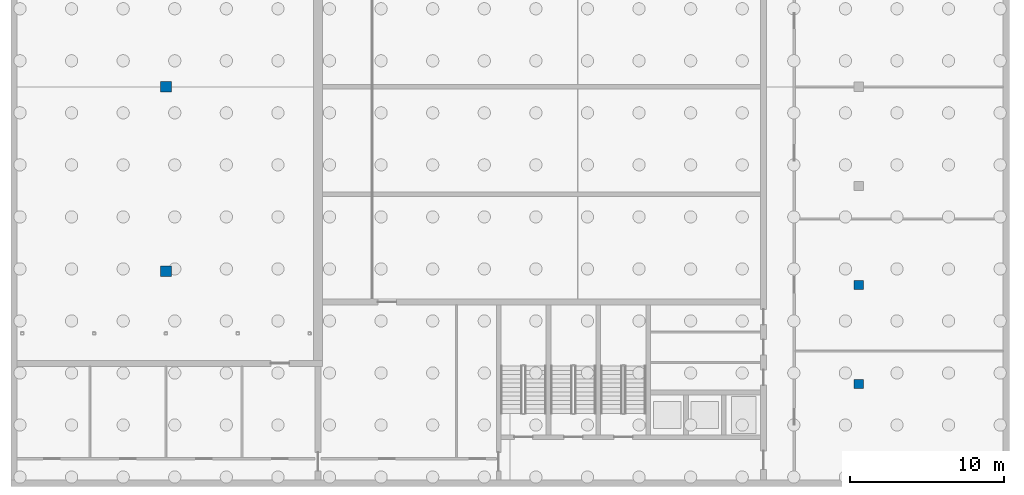
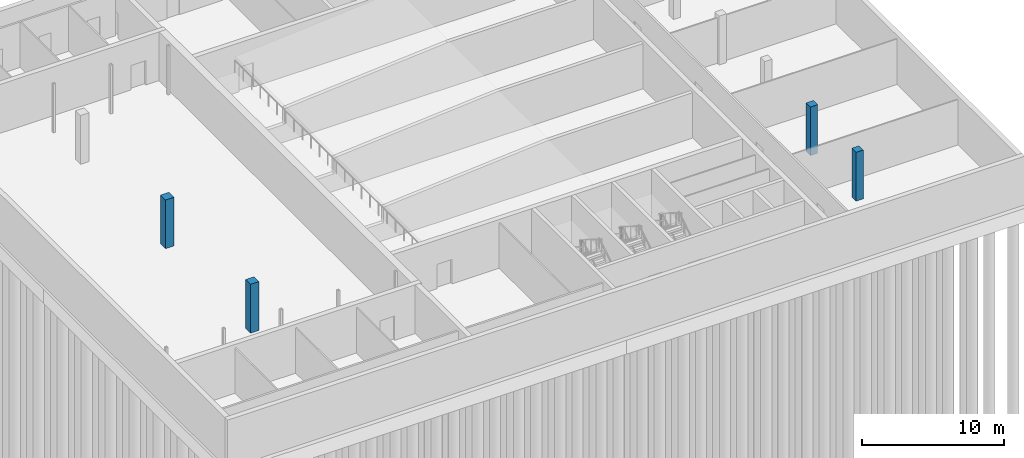
# One storey, part 4 of 32: 4 columns.
"""IFC4 building model written with IfcOpenShell, lengths in metres."""

from ifc_helpers import new_model, si_unit, direction, frame, origin, origin_2d, place, context, subcontext, project, spatial, rectangle, extrude, material, material_profile, profile_set, type_object, element, save


model = new_model("IFC4")

# Units and contexts
model_context = context("Model", 3, precision=1e-05, world=origin(), true_north=direction((0.0, 1.0)))
body_context = subcontext(model_context, "Body", "Model", "MODEL_VIEW")
ifc_project = project(units=[si_unit("LENGTHUNIT", "METRE"), si_unit("AREAUNIT", "SQUARE_METRE"), si_unit("VOLUMEUNIT", "CUBIC_METRE"), si_unit("PLANEANGLEUNIT", "RADIAN"), si_unit("MASSUNIT", "GRAM", prefix="KILO")], contexts=[model_context])

# Site, building, storey
site_placement = place(None, origin())
site = spatial("IfcSite", under=ifc_project, at=site_placement, CompositionType="ELEMENT")
building_placement = place(site_placement, origin())
building = spatial("IfcBuilding", under=site, at=building_placement, Name="Noorbagh Ring Tower", CompositionType="ELEMENT")
storey_placement = place(building_placement, frame((0.0, 0.0, -4.199951171875)))
storey = spatial("IfcBuildingStorey", under=building, at=storey_placement, Name="B1", CompositionType="ELEMENT", Elevation=-4.199951171875)

# Columns
ifc_material_1 = material(Name="Concrete C50/60", Category="concrete")
ifc_material_profile_1 = material_profile(ifc_material_1, rectangle(XDim=0.60009765625, YDim=0.60009765625, at=origin_2d()), Name="RC600x600")
ifc_profile_set_1 = profile_set([ifc_material_profile_1], Name="Concrete C50/60")
column_type_1 = type_object("IfcColumnType", Name="TH-COL-FOYER", PredefinedType="COLUMN", material=ifc_profile_set_1)
for number, where, z_axis, x_axis, name in (
    (1, (-104.800048828125, -14.35009765625, 0.0), (0.0, 0.0, 1.0), (1.0, 0.0, 0.0), "B1/th-col/foyer-1"),
    (2, (-104.800048828125, -7.89990234375, 0.0), (0.0, 0.0, 1.0), (1.0, 0.0, 0.0), "B1/th-col/foyer-2"),
):
    element("IfcColumn", number, at=place(storey_placement, frame(where, z_axis=z_axis, x_axis=x_axis)), inside=storey, type_object=column_type_1, Name=name, PredefinedType="COLUMN", context=body_context, shape_type="SweptSolid", body=[
        extrude(rectangle(XDim=0.60009765625, YDim=0.60009765625, at=origin_2d()), origin(), (0.0, 0.0, 1.0), 4.199951171875),
    ])
ifc_material_2 = material(Name="Concrete C50/60", Category="concrete")
ifc_material_profile_2 = material_profile(ifc_material_2, rectangle(XDim=0.699951171875, YDim=0.699951171875, at=origin_2d()), Name="RC700x700")
ifc_profile_set_2 = profile_set([ifc_material_profile_2], Name="Concrete C50/60")
column_type_2 = type_object("IfcColumnType", Name="TH-COL-TRAP", PredefinedType="COLUMN", material=ifc_profile_set_2)
for number, where, z_axis, x_axis, name in (
    (3, (-149.89990234375, -7.0, 0.0), (0.0, 0.0, 1.0), (1.0, 0.0, 0.0), "B1/th-col/trap-1"),
    (4, (-149.89990234375, 5.0, 0.0), (0.0, 0.0, 1.0), (1.0, 0.0, 0.0), "B1/th-col/trap-2"),
):
    element("IfcColumn", number, at=place(storey_placement, frame(where, z_axis=z_axis, x_axis=x_axis)), inside=storey, type_object=column_type_2, Name=name, PredefinedType="COLUMN", context=body_context, shape_type="SweptSolid", body=[
        extrude(rectangle(XDim=0.699951171875, YDim=0.699951171875, at=origin_2d()), origin(), (0.0, 0.0, 1.0), 4.199951171875),
    ])

save(model, "model.ifc")
